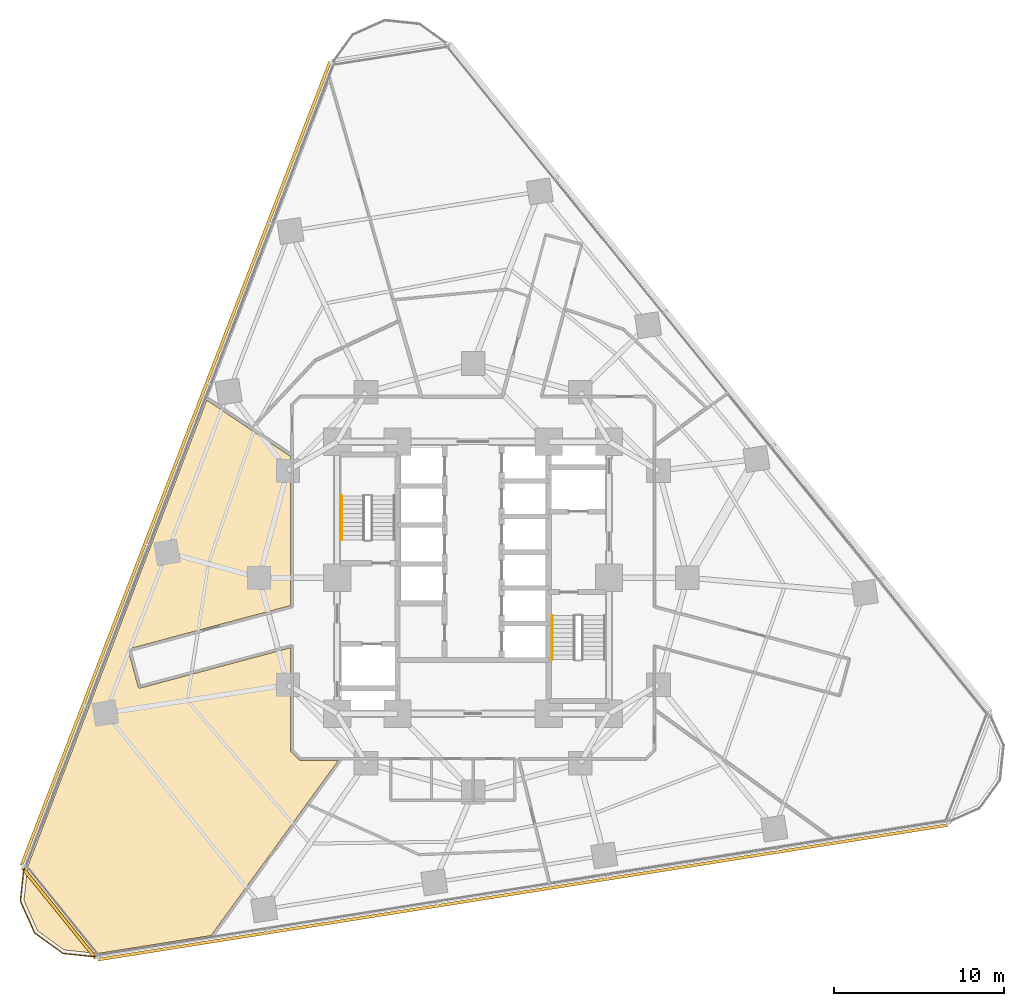
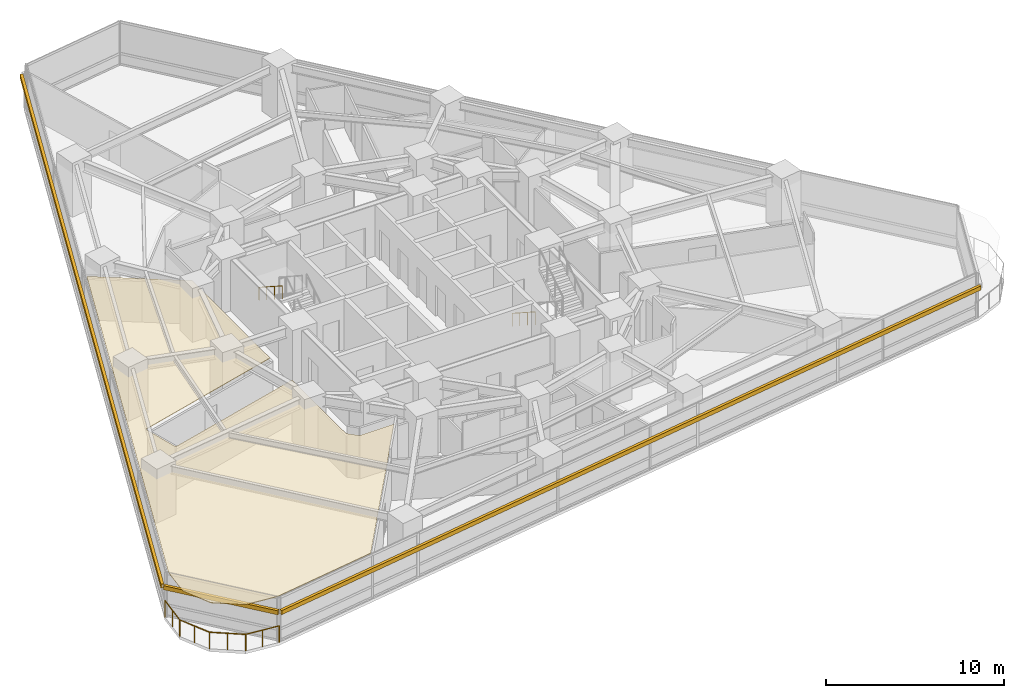
# One storey, part 11 of 13: 3 railings, 3 shading devices, 1 covering.
"""IFC4 building model written with IfcOpenShell, lengths in metres."""

import ifcopenshell
import ifcopenshell.guid

model = None  # the IFC model being written
_history = None  # IfcOwnerHistory: only IFC2X3 demands one
_inside = {}  # id of a spatial element -> (the spatial element, [elements in it])
_under = {}  # id of a project, library or spatial element -> (it, [spatial elements below it])
_declared = {}  # id of a project -> (the project, [libraries it declares])
_typed = {}  # id of a type object -> (the type object, [elements of that type])
_made_of = {}  # id of a material, layer set ... -> (it, [elements and type objects made of it])


def new_model(schema):
    """Start an empty IFC model of exactly this schema.

    Asked for "IFC4X3", IfcOpenShell would pick the latest addendum, in which some entities
    have other attributes; the version numbers below select the first issue.
    IFC2X3 requires an IfcOwnerHistory on every rooted entity: one is made here for all.
    """
    global model, _history
    if schema == "IFC4X3":
        model = ifcopenshell.file(schema_version=(4, 3, 0, 0))
    else:
        model = ifcopenshell.file(schema=schema)
    _inside.clear()
    _under.clear()
    _declared.clear()
    _typed.clear()
    _made_of.clear()
    _history = None
    if model.schema == "IFC2X3":
        org = make("IfcOrganization", Name="unknown")
        user = make(
            "IfcPersonAndOrganization",
            ThePerson=make("IfcPerson", FamilyName="unknown"),
            TheOrganization=org,
        )
        app = make(
            "IfcApplication",
            ApplicationDeveloper=org,
            Version="unknown",
            ApplicationFullName="unknown",
            ApplicationIdentifier="unknown",
        )
        _history = make(
            "IfcOwnerHistory",
            OwningUser=user,
            OwningApplication=app,
            ChangeAction="ADDED",
            CreationDate=0,
        )
    return model


def make(cls, **values):
    """One entity of the class cls with the attributes given. An attribute that is None is left unset."""
    return model.create_entity(
        cls, **{name: value for name, value in values.items() if value is not None}
    )


def rooted(cls, **values):
    """An entity with a GlobalId (a new one), such as an element, a storey or a relation."""
    return make(cls, GlobalId=ifcopenshell.guid.new(), OwnerHistory=_history, **values)


def si_unit(unit_type, name, prefix=None):
    """IfcSIUnit, for example si_unit("LENGTHUNIT", "METRE", prefix="MILLI")."""
    return make("IfcSIUnit", UnitType=unit_type, Prefix=prefix, Name=name)


def assignment(units):
    """IfcUnitAssignment: the units of a project."""
    return None if units is None else make("IfcUnitAssignment", Units=units)


def point(xyz):
    """IfcCartesianPoint."""
    return None if xyz is None else make("IfcCartesianPoint", Coordinates=xyz)


def direction(xyz):
    """IfcDirection."""
    return None if xyz is None else make("IfcDirection", DirectionRatios=xyz)


def frame(location, z_axis=None, x_axis=None):
    """IfcAxis2Placement3D, a coordinate frame: its origin and axes. An axis left out is left unset."""
    return make(
        "IfcAxis2Placement3D",
        Location=point(location),
        Axis=direction(z_axis),
        RefDirection=direction(x_axis),
    )


def frame_2d(location, x_axis=None):
    """IfcAxis2Placement2D, a coordinate frame in the plane: its origin and x axis."""
    return make(
        "IfcAxis2Placement2D", Location=point(location), RefDirection=direction(x_axis)
    )


def origin():
    """The frame at (0, 0, 0) with its axes left unset."""
    return frame((0.0, 0.0, 0.0))


def origin_2d():
    """The frame at (0, 0) in the plane with its x axis left unset."""
    return frame_2d((0.0, 0.0))


def place(relative_to, where):
    """IfcLocalPlacement: puts the frame where relative to a parent placement (None: the world)."""
    return make(
        "IfcLocalPlacement", PlacementRelTo=relative_to, RelativePlacement=where
    )


def context(
    kind, dimensions, precision=None, world=None, true_north=None, identifier=None
):
    """IfcGeometricRepresentationContext, for example the 3D "Model" context."""
    return make(
        "IfcGeometricRepresentationContext",
        ContextIdentifier=identifier,
        ContextType=kind,
        CoordinateSpaceDimension=dimensions,
        Precision=precision,
        WorldCoordinateSystem=world,
        TrueNorth=true_north,
    )


def subcontext(parent, identifier, kind, view, scale=None):
    """IfcGeometricRepresentationSubContext, for example "Body" below "Model"."""
    return make(
        "IfcGeometricRepresentationSubContext",
        ContextIdentifier=identifier,
        ContextType=kind,
        ParentContext=parent,
        TargetScale=scale,
        TargetView=view,
    )


def project(units=None, contexts=None):
    """IfcProject with its units and contexts."""
    return rooted(
        "IfcProject",
        Name="project",
        RepresentationContexts=contexts,
        UnitsInContext=assignment(units),
    )


def spatial(cls, under=None, at=None, **own):
    """A site, building, storey or space (cls), placed at a placement, below another one or the project."""
    s = rooted(cls, ObjectPlacement=at, **own)
    if under is not None:
        _under.setdefault(under.id(), (under, []))[1].append(s)
    return s


def polyline(points):
    """IfcPolyline through the points."""
    return make("IfcPolyline", Points=[point(p) for p in points])


def profile(cls, at=None, kind="AREA", **sizes):
    """A parametric profile (cls). Its sizes go by their IFC names, for example OverallWidth=200.0."""
    return make(cls, ProfileType=kind, Position=at, **sizes)


def rectangle(**sizes):
    """IfcRectangleProfileDef."""
    return profile("IfcRectangleProfileDef", **sizes)


def circle(**sizes):
    """IfcCircleProfileDef."""
    return profile("IfcCircleProfileDef", **sizes)


def outline(outer, holes=None, kind="AREA"):
    """IfcArbitraryClosedProfileDef: a profile drawn as a closed curve; with holes, ...WithVoids."""
    if holes is None:
        return make("IfcArbitraryClosedProfileDef", ProfileType=kind, OuterCurve=outer)
    return make(
        "IfcArbitraryProfileDefWithVoids",
        ProfileType=kind,
        OuterCurve=outer,
        InnerCurves=holes,
    )


def extrude(swept, where, along, depth):
    """IfcExtrudedAreaSolid: the profile swept, set in the frame where, extruded along a direction by depth."""
    return make(
        "IfcExtrudedAreaSolid",
        SweptArea=swept,
        Position=where,
        ExtrudedDirection=direction(along),
        Depth=depth,
    )


def shape(context_of_items, identifier, shape_type, items):
    """IfcShapeRepresentation: the items that make up one representation, for example the "Body"."""
    return make(
        "IfcShapeRepresentation",
        ContextOfItems=context_of_items,
        RepresentationIdentifier=identifier,
        RepresentationType=shape_type,
        Items=items,
    )


def material(Name=None, Category=None):
    """IfcMaterial."""
    return make("IfcMaterial", Name=Name, Category=Category)


def layer(
    of_material, thickness, ventilated=None, Name=None, Category=None, Priority=None
):
    """IfcMaterialLayer: one layer of a wall or slab, of a material (None: an air gap)."""
    return make(
        "IfcMaterialLayer",
        Material=of_material,
        LayerThickness=thickness,
        IsVentilated=ventilated,
        Name=Name,
        Category=Category,
        Priority=Priority,
    )


def layer_set(layers, Name=None):
    """IfcMaterialLayerSet."""
    return make("IfcMaterialLayerSet", MaterialLayers=layers, LayerSetName=Name)


def made_of(thing, what):
    """Note that an element or type object is made of a material, layer set ...; save() writes the relation."""
    if what is not None:
        _made_of.setdefault(what.id(), (what, []))[1].append(thing)
    return thing


def type_object(cls, material=None, **own):
    """A type object (cls), such as IfcWallType, which elements share."""
    return made_of(rooted(cls, **own), material)


def element(
    cls,
    number,
    at=None,
    inside=None,
    cuts=None,
    type_object=None,
    material=None,
    context=None,
    identifier="Body",
    shape_type=None,
    held_by="IfcProductDefinitionShape",
    body=None,
    shapes=None,
    **own,
):
    """One element of the class cls, such as IfcWall. Its Tag is "e" and its number.

    at: its placement. inside: the storey or other place that contains it. cuts: it is an
    opening in that element (IfcRelVoidsElement). A single representation is given by context,
    identifier, shape_type and body (its items); several are given by shapes. held_by: the class
    of the entity that holds the representations. save() writes the other relations.
    """
    e = rooted(cls, Tag="e%d" % number, ObjectPlacement=at, **own)
    if body is not None:
        shapes = [shape(context, identifier, shape_type, body)]
    if shapes is not None:
        e.Representation = make(held_by, Representations=shapes)
    if inside is not None:
        _inside.setdefault(inside.id(), (inside, []))[1].append(e)
    if cuts is not None:
        rooted(
            "IfcRelVoidsElement", RelatingBuildingElement=cuts, RelatedOpeningElement=e
        )
    if type_object is not None:
        _typed.setdefault(type_object.id(), (type_object, []))[1].append(e)
    return made_of(e, material)


def aggregate(whole, parts):
    """IfcRelAggregates: a whole, such as a stair, and the parts it consists of."""
    return rooted("IfcRelAggregates", RelatingObject=whole, RelatedObjects=parts)


def save(model, path):
    """Write the relations noted so far, then the file.

    IfcRelAggregates (storeys below a building ...), IfcRelContainedInSpatialStructure (elements
    in a storey), IfcRelDefinesByType, IfcRelAssociatesMaterial and IfcRelDeclares: one each for
    every whole, place, type object, material and project.
    """
    for whole, parts in _under.values():
        aggregate(whole, parts)
    for where, things in _inside.values():
        rooted(
            "IfcRelContainedInSpatialStructure",
            RelatedElements=things,
            RelatingStructure=where,
        )
    for kind, things in _typed.values():
        rooted("IfcRelDefinesByType", RelatedObjects=things, RelatingType=kind)
    for what, things in _made_of.values():
        rooted("IfcRelAssociatesMaterial", RelatedObjects=things, RelatingMaterial=what)
    for by, libraries in _declared.values():
        rooted("IfcRelDeclares", RelatingContext=by, RelatedDefinitions=libraries)
    model.write(path)


model = new_model("IFC4")

# Units and contexts
model_context = context("Model", 3, precision=1e-05, world=origin(), true_north=direction((0.0, 1.0)))
body_context = subcontext(model_context, "Body", "Model", "MODEL_VIEW")
ifc_project = project(units=[si_unit("LENGTHUNIT", "METRE"), si_unit("AREAUNIT", "SQUARE_METRE"), si_unit("VOLUMEUNIT", "CUBIC_METRE"), si_unit("PLANEANGLEUNIT", "RADIAN"), si_unit("MASSUNIT", "GRAM", prefix="KILO")], contexts=[model_context])

# Site, building, storey
site_placement = place(None, origin())
site = spatial("IfcSite", under=ifc_project, at=site_placement, CompositionType="ELEMENT")
building_placement = place(site_placement, origin())
building = spatial("IfcBuilding", under=site, at=building_placement, Name="Terralouvre Media Tower", CompositionType="ELEMENT")
storey_placement = place(building_placement, frame((0.0, 0.0, 59.300048828125)))
storey = spatial("IfcBuildingStorey", under=building, at=storey_placement, Name="L14", CompositionType="ELEMENT", Elevation=59.300048828125)

# Covering
ifc_material_1 = material(Name="Perforated aluminium acoustic ceiling baffle", Category="aluminium")
ifc_layer_1 = layer(ifc_material_1, 0.0400390625, Name="Perforated Acoustic Metal Tile Ceiling CL-AC1")
ifc_layer_set_1 = layer_set([ifc_layer_1], Name="Perforated aluminium acoustic ceiling baffle")
covering_type = type_object("IfcCoveringType", Name="Perforated Acoustic Metal Tile Ceiling CL-AC1", PredefinedType="CEILING", material=ifc_layer_set_1)
covering_placement = place(storey_placement, frame((0.0, 0.0, 2.97998046875), z_axis=(0.0, 0.0, 1.0), x_axis=(0.987688340595, 0.15643446504, 0.0)))
element("IfcCovering", 1, at=covering_placement, inside=storey, type_object=covering_type, Name="L14 Podcast Editing Creative Workshop 2 Acoustic Ceiling", PredefinedType="CEILING", context=body_context, shape_type="SweptSolid", body=[
    extrude(outline(polyline([(-9.518310546875, -9.37646484375), (-11.706787109375, -9.02978515625), (-11.71630859375, -9.02783203125), (-11.7255859375, -9.02490234375), (-11.734619140625, -9.02099609375), (-11.743408203125, -9.016357421875), (-11.75146484375, -9.0107421875), (-11.759033203125, -9.00439453125), (-11.765869140625, -8.99755859375), (-11.77197265625, -8.98974609375), (-12.1875, -8.417724609375), (-12.19287109375, -8.409423828125), (-12.197509765625, -8.40087890625), (-12.201171875, -8.391845703125), (-12.203857421875, -8.38232421875), (-12.205810546875, -8.372802734375), (-12.20654296875, -8.363037109375), (-12.20654296875, -8.35302734375), (-12.20556640625, -8.34326171875), (-11.262451171875, -2.389892578125), (-20.361328125, -3.3466796875), (-20.37109375, -3.34716796875), (-20.380859375, -3.3466796875), (-20.390625, -3.34521484375), (-20.400146484375, -3.343017578125), (-20.409423828125, -3.33984375), (-20.418212890625, -3.335693359375), (-20.4267578125, -3.33056640625), (-20.434814453125, -3.324951171875), (-20.44189453125, -3.318359375), (-20.44873046875, -3.31103515625), (-20.45458984375, -3.30322265625), (-20.459716796875, -3.294921875), (-20.4638671875, -3.285888671875), (-20.46728515625, -3.27685546875), (-20.4697265625, -3.267333984375), (-20.47119140625, -3.257568359375), (-20.701904296875, -1.069580078125), (-20.702392578125, -1.059814453125), (-20.701904296875, -1.050048828125), (-20.700439453125, -1.040283203125), (-20.6982421875, -1.03076171875), (-20.695068359375, -1.021484375), (-20.69091796875, -1.0126953125), (-20.685791015625, -1.004150390625), (-20.679931640625, -0.99609375), (-20.673583984375, -0.989013671875), (-20.666259765625, -0.982177734375), (-20.658447265625, -0.976318359375), (-20.650146484375, -0.97119140625), (-20.64111328125, -0.967041015625), (-20.6318359375, -0.963623046875), (-20.62255859375, -0.961181640625), (-20.61279296875, -0.959716796875), (-10.8740234375, 0.0634765625), (-9.502197265625, 8.724609375), (-11.56982421875, 10.653076171875), (-13.845703125, 12.775146484375), (-28.561279296875, -12.713134765625), (-29.072509765625, -14.618896484375), (-28.569580078125, -16.49462890625), (-27.19580078125, -17.867919921875), (-25.291015625, -18.378173828125), (-18.519775390625, -18.37890625), (-11.740966796875, -11.599365234375), (-9.518310546875, -9.37646484375)])), origin(), (0.0, 0.0, 1.0), 0.0400390625),
])

# Railings
ifc_material_2 = material(Name="Stainless steel 316 handrail and balustrade", Category="steel")
ifc_layer_2 = layer(ifc_material_2, 0.06005859375, Name="Roof Edge Safety Guardrail GR-ROOF1")
ifc_layer_set_2 = layer_set([ifc_layer_2], Name="Stainless steel 316 handrail and balustrade")
railing_type_1 = type_object("IfcRailingType", Name="Roof Edge Safety Guardrail GR-ROOF1", PredefinedType="GUARDRAIL", material=ifc_layer_set_2)
railing_1_placement = place(storey_placement, frame((-26.424560546875, -16.965087890625, 0.0)))
element("IfcRailing", 2, at=railing_1_placement, inside=storey, type_object=railing_type_1, Name="L14 Wind-Corner Perimeter Safety Guardrail C0", PredefinedType="GUARDRAIL", context=body_context, shape_type="SweptSolid", body=[
    extrude(circle(Radius=0.02099609375, at=origin_2d()), frame((0.0, 0.0, 1.12890625), z_axis=(-0.104666273578, -0.994507401267, 0.0), x_axis=(0.994507401267, -0.104666273578, 0.0)), (0.0, 0.0, 1.0), 2.0595703125),
    extrude(circle(Radius=0.02099609375, at=origin_2d()), frame((-0.215576171875, -2.04833984375, 1.12890625), z_axis=(0.406644402356, -0.913586520278, 0.0), x_axis=(0.913586520278, 0.406644402356, 0.0)), (0.0, 0.0, 1.0), 2.059326171875),
    extrude(circle(Radius=0.02099609375, at=origin_2d()), frame((0.621826171875, -3.9296875, 1.12890625), z_axis=(0.809069210714, -0.587713375954, 0.0), x_axis=(0.587713375954, 0.809069210714, 0.0)), (0.0, 0.0, 1.0), 2.05908203125),
    extrude(circle(Radius=0.02099609375, at=origin_2d()), frame((2.287841796875, -5.139892578125, 1.12890625), z_axis=(0.994544355817, -0.104314545068, 0.0), x_axis=(0.104314545068, 0.994544355817, 0.0)), (0.0, 0.0, 1.0), 2.0595703125),
    extrude(circle(Radius=0.01904296875, at=origin_2d()), origin(), (0.0, 0.0, 1.0), 1.10791015625),
    extrude(circle(Radius=0.01904296875, at=origin_2d()), frame((-0.10791015625, -1.024169921875, 0.0)), (0.0, 0.0, 1.0), 1.10791015625),
    extrude(circle(Radius=0.01904296875, at=origin_2d()), frame((-0.215576171875, -2.04833984375, 0.0)), (0.0, 0.0, 1.0), 1.10791015625),
    extrude(circle(Radius=0.01904296875, at=origin_2d()), frame((0.203125, -2.989013671875, 0.0)), (0.0, 0.0, 1.0), 1.10791015625),
    extrude(circle(Radius=0.01904296875, at=origin_2d()), frame((0.621826171875, -3.9296875, 0.0)), (0.0, 0.0, 1.0), 1.10791015625),
    extrude(circle(Radius=0.01904296875, at=origin_2d()), frame((1.454833984375, -4.53466796875, 0.0)), (0.0, 0.0, 1.0), 1.10791015625),
    extrude(circle(Radius=0.01904296875, at=origin_2d()), frame((2.287841796875, -5.139892578125, 0.0)), (0.0, 0.0, 1.0), 1.10791015625),
    extrude(circle(Radius=0.01904296875, at=origin_2d()), frame((3.31201171875, -5.247314453125, 0.0)), (0.0, 0.0, 1.0), 1.10791015625),
    extrude(circle(Radius=0.01904296875, at=origin_2d()), frame((4.336181640625, -5.354736328125, 0.0)), (0.0, 0.0, 1.0), 1.10791015625),
])
ifc_material_3 = material(Name="Stainless steel 316 handrail and balustrade", Category="steel")
ifc_layer_3 = layer(ifc_material_3, 0.050048828125, Name="Stair Flight Wall Handrail HR-INT1")
ifc_layer_set_3 = layer_set([ifc_layer_3], Name="Stainless steel 316 handrail and balustrade")
railing_type_2 = type_object("IfcRailingType", Name="Stair Flight Wall Handrail HR-INT1", PredefinedType="HANDRAIL", material=ifc_layer_set_3)
railing_2_placement = place(storey_placement, frame((-7.72998046875, 4.820068359375, 2.01806640625)))
element("IfcRailing", 3, at=railing_2_placement, inside=storey, type_object=railing_type_2, Name="L14 ST-01 stair handrail 2", PredefinedType="HANDRAIL", context=body_context, shape_type="SweptSolid", body=[
    extrude(circle(Radius=0.02392578125, at=origin_2d()), frame((0.0, 0.0, 0.8759765625), z_axis=(0.0, -0.839648411786, 0.543130320075), x_axis=(1.0, 0.0, 0.0)), (0.0, 0.0, 1.0), 3.0966796875),
    extrude(circle(Radius=0.02099609375, at=origin_2d()), origin(), (0.0, 0.0, 1.0), 0.851806640625),
    extrude(circle(Radius=0.02099609375, at=origin_2d()), frame((0.0, -0.86669921875, 0.560546875)), (0.0, 0.0, 1.0), 0.851806640625),
    extrude(circle(Radius=0.02099609375, at=origin_2d()), frame((0.0, -1.7333984375, 1.121337890625)), (0.0, 0.0, 1.0), 0.851806640625),
    extrude(circle(Radius=0.02099609375, at=origin_2d()), frame((0.0, -2.60009765625, 1.681884765625)), (0.0, 0.0, 1.0), 0.851806640625),
])
railing_3_placement = place(storey_placement, frame((4.64990234375, -2.219970703125, 0.168212890625)))
element("IfcRailing", 4, at=railing_3_placement, inside=storey, type_object=railing_type_2, Name="L14 ST-02 stair handrail 1", PredefinedType="HANDRAIL", context=body_context, shape_type="SweptSolid", body=[
    extrude(circle(Radius=0.02392578125, at=origin_2d()), frame((0.0, 0.0, 0.8759765625), z_axis=(0.0, -0.839684365666, 0.543074733399), x_axis=(1.0, 0.0, 0.0)), (0.0, 0.0, 1.0), 3.096435546875),
    extrude(circle(Radius=0.02099609375, at=origin_2d()), origin(), (0.0, 0.0, 1.0), 0.851806640625),
    extrude(circle(Radius=0.02099609375, at=origin_2d()), frame((0.0, -0.86669921875, 0.560546875)), (0.0, 0.0, 1.0), 0.851806640625),
    extrude(circle(Radius=0.02099609375, at=origin_2d()), frame((0.0, -1.7333984375, 1.12109375)), (0.0, 0.0, 1.0), 0.851806640625),
    extrude(circle(Radius=0.02099609375, at=origin_2d()), frame((0.0, -2.60009765625, 1.681640625)), (0.0, 0.0, 1.0), 0.851806640625),
])

# Shading devices
ifc_material_4 = material(Name="Extruded terracotta baguette sunshade louvres", Category="masonry")
shading_device_type = type_object("IfcShadingDeviceType", Name="Terracotta Baguette Sunshade Louvre Screen TB-LV1", PredefinedType="USERDEFINED", material=ifc_material_4)
for number, where, z_axis, x_axis, name in (
    (5, (2.931396484375, -18.5078125, 2.02392578125), (0.0, 0.0, 1.0), (0.987688340934, 0.156434462903, 0.0), "CW-L14-F0 Terracotta Baguette Sunshade Louvre"),
    (6, (-17.493896484375, 6.71533203125, 2.02392578125), (0.0, 0.0, 1.0), (-0.358367917006, -0.933580438988, 0.0), "CW-L14-F2 Terracotta Baguette Sunshade Louvre"),
):
    element("IfcShadingDevice", number, at=place(storey_placement, frame(where, z_axis=z_axis, x_axis=x_axis)), inside=storey, type_object=shading_device_type, Name=name, ObjectType="BAGUETTE", PredefinedType="USERDEFINED", context=body_context, shape_type="SweptSolid", body=[
        extrude(rectangle(XDim=50.639892578125, YDim=0.179931640625, at=origin_2d()), origin(), (0.0, 0.0, 1.0), 0.280029296875),
    ])
shading_device_placement = place(storey_placement, frame((-24.361328125, -19.727294921875, 2.02392578125), z_axis=(0.0, 0.0, 1.0), x_axis=(0.629320031936, -0.777146252262, 0.0)))
element("IfcShadingDevice", 7, at=shading_device_placement, inside=storey, type_object=shading_device_type, Name="CW-L14-C0 Terracotta Baguette Sunshade Louvre", ObjectType="BAGUETTE", PredefinedType="USERDEFINED", context=body_context, shape_type="SweptSolid", body=[
    extrude(rectangle(XDim=6.8935546875, YDim=0.179931640625, at=origin_2d()), origin(), (0.0, 0.0, 1.0), 0.280029296875),
])

save(model, "model.ifc")
